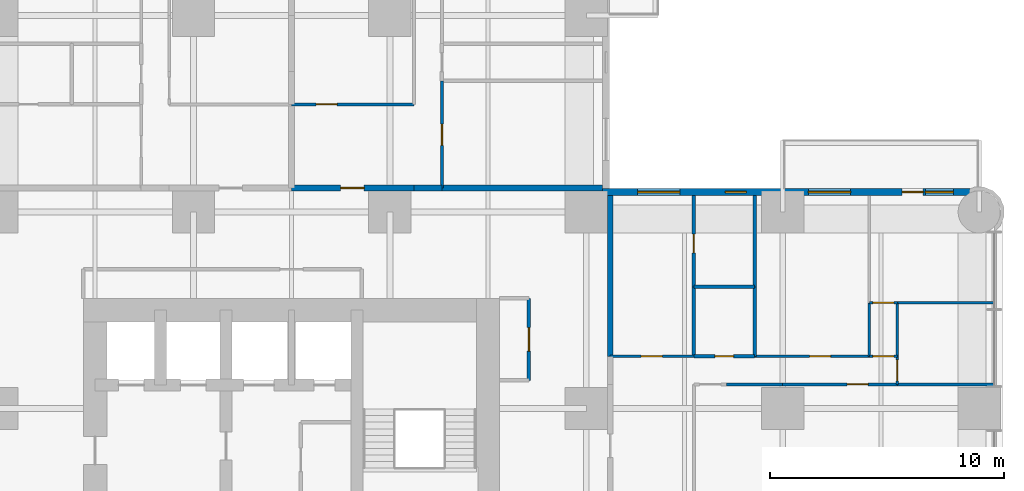
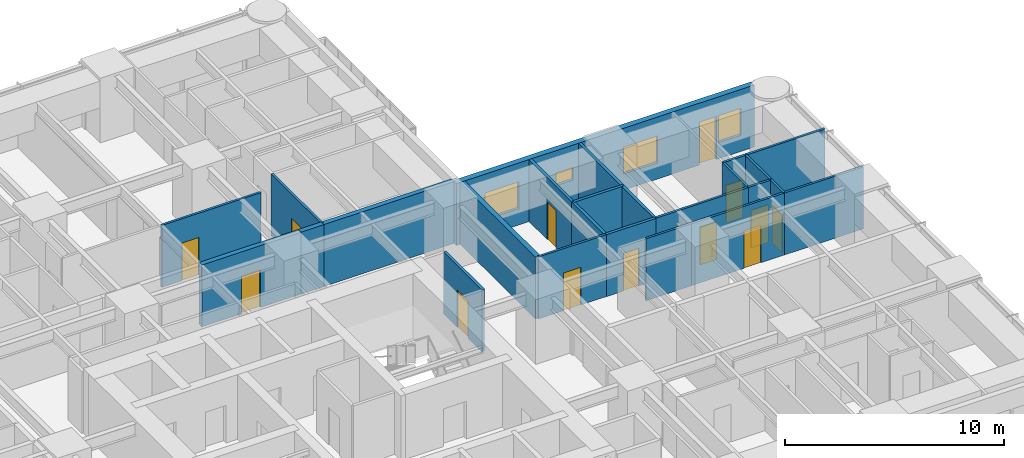
# One storey, part 14 of 17: 25 walls, 13 doors, 4 windows, 17 openings.
"""IFC4 building model written with IfcOpenShell, lengths in metres."""

from ifc_helpers import new_model, si_unit, direction, frame, frame_2d, origin, place, context, subcontext, project, spatial, rectangle, extrude, material, layer, layer_set, type_object, element, fill, save


model = new_model("IFC4")

# Units and contexts
model_context = context("Model", 3, precision=1e-05, world=origin(), true_north=direction((0.0, 1.0)))
body_context = subcontext(model_context, "Body", "Model", "MODEL_VIEW")
ifc_project = project(units=[si_unit("LENGTHUNIT", "METRE"), si_unit("AREAUNIT", "SQUARE_METRE"), si_unit("VOLUMEUNIT", "CUBIC_METRE"), si_unit("PLANEANGLEUNIT", "RADIAN"), si_unit("MASSUNIT", "GRAM", prefix="KILO")], contexts=[model_context])

# Site, building, storey
site_placement = place(None, origin())
site = spatial("IfcSite", under=ifc_project, at=site_placement, CompositionType="ELEMENT")
building_placement = place(site_placement, origin())
building = spatial("IfcBuilding", under=site, at=building_placement, Name="Torre Alcanfor", CompositionType="ELEMENT")
storey_placement = place(building_placement, frame((0.0, 0.0, 41.699951171875)))
storey = spatial("IfcBuildingStorey", under=building, at=storey_placement, Name="L09", CompositionType="ELEMENT", Elevation=41.699951171875)

# Wall, opening, door
ifc_material_1 = material(Name="Concrete block masonry, hollow blocks NMX-C-404 9 MPa", Category="masonry")
ifc_layer_1 = layer(ifc_material_1, 0.25)
ifc_layer_set_1 = layer_set([ifc_layer_1], Name="Apartment entrance wall 250 EI 60")
wall_type_1 = type_object("IfcWallType", Name="Apartment entrance wall 250 EI 60", PredefinedType="PARTITIONING", material=ifc_layer_set_1)
wall_1_placement = place(storey_placement, frame((29.39990234375, 43.02490234375, 0.0), z_axis=(0.0, 0.0, 1.0), x_axis=(1.0, 0.0, 0.0)))
wall_1 = element("IfcWall", 1, at=wall_1_placement, inside=storey, type_object=wall_type_1, Name="Partition L09-CORR / L09-N2-ZAG", PredefinedType="PARTITIONING", context=body_context, shape_type="SweptSolid", body=[
    extrude(rectangle(XDim=5.22900390625, YDim=0.25, at=frame_2d((2.614501953125, 0.0))), origin(), (0.0, 0.0, 1.0), 3.449951171875),
])
opening_1_placement = place(wall_1_placement, frame((2.10009765625, 0.0, 0.0)))
opening_1 = element("IfcOpeningElement", 2, at=opening_1_placement, cuts=wall_1, Name="Opening D-A1", PredefinedType="OPENING", context=body_context, shape_type="SweptSolid", body=[
    extrude(rectangle(XDim=1.0, YDim=2.10009765625, at=frame_2d((0.5, 1.050048828125))), frame((0.0, 0.135009765625, 0.0), z_axis=(0.0, -1.0, 0.0), x_axis=(1.0, 0.0, 0.0)), (0.0, 0.0, 1.0), 0.27001953125),
])
ifc_material_2 = material(Name="Galvanised steel sheet ASTM A653", Category="steel")
door_type_1 = type_object("IfcDoorType", Name="Apartment entrance door FD60 1000x2100", OperationType="SINGLE_SWING_LEFT", PredefinedType="DOOR", material=ifc_material_2)
door_1_placement = place(opening_1_placement, origin())
door_1 = element("IfcDoor", 3, at=door_1_placement, inside=storey, type_object=door_type_1, Name="Apartment entrance L09-N2", OperationType="SINGLE_SWING_LEFT", OverallHeight=2.10009765625, OverallWidth=1.0, PredefinedType="DOOR", context=body_context, shape_type="SweptSolid", body=[
    extrude(rectangle(XDim=1.0, YDim=2.10009765625, at=frame_2d((0.5, 1.050048828125))), frame((0.0, 0.02490234375, 0.0), z_axis=(0.0, -1.0, 0.0), x_axis=(1.0, 0.0, 0.0)), (0.0, 0.0, 1.0), 0.050048828125),
])
fill(opening_1, door_1)

# Walls
wall_2_placement = place(storey_placement, frame((34.62890625, 43.02490234375, 0.0), z_axis=(0.0, 0.0, 1.0), x_axis=(1.0, 0.0, 0.0)))
element("IfcWall", 4, at=wall_2_placement, inside=storey, type_object=wall_type_1, Name="Partition L09-CORR / L09-N2-HALL", PredefinedType="PARTITIONING", context=body_context, shape_type="SweptSolid", body=[
    extrude(rectangle(XDim=1.2001953125, YDim=0.25, at=frame_2d((0.60009765625, 0.0))), origin(), (0.0, 0.0, 1.0), 3.449951171875),
])
for number, where, z_axis, x_axis, name in (
    (5, (35.8291015625, 43.02490234375, 0.0), (0.0, 0.0, 1.0), (1.0, 0.0, 0.0), "Partition L09-CORR / L09-N2-BED3"),
    (6, (43.02490234375, 42.699951171875, 0.0), (0.0, 0.0, 1.0), (0.0, -1.0, 0.0), "Partition L09-CORR / L09-E1-SERV"),
):
    element("IfcWall", number, at=place(storey_placement, frame(where, z_axis=z_axis, x_axis=x_axis)), inside=storey, type_object=wall_type_1, Name=name, PredefinedType="PARTITIONING", context=body_context, shape_type="SweptSolid", body=[
        extrude(rectangle(XDim=6.870849609375, YDim=0.25, at=frame_2d((3.435546875, 0.0))), origin(), (0.0, 0.0, 1.0), 3.449951171875),
    ])

# Wall, opening, door
ifc_material_3 = material(Name="Gypsum board on steel studs", Category="steel")
ifc_layer_2 = layer(ifc_material_3, 0.1201171875)
ifc_layer_set_2 = layer_set([ifc_layer_2], Name="Apartment partition 120")
wall_type_2 = type_object("IfcWallType", Name="Apartment partition 120", PredefinedType="PARTITIONING", material=ifc_layer_set_2)
wall_3_placement = place(storey_placement, frame((29.39990234375, 46.60009765625, 0.0), z_axis=(0.0, 0.0, 1.0), x_axis=(1.0, 0.0, 0.0)))
wall_3 = element("IfcWall", 7, at=wall_3_placement, inside=storey, type_object=wall_type_2, Name="Partition L09-N2-ZAG / L09-N2-KITCHEN", PredefinedType="PARTITIONING", context=body_context, shape_type="SweptSolid", body=[
    extrude(rectangle(XDim=5.22900390625, YDim=0.1201171875, at=frame_2d((2.614501953125, 0.0))), origin(), (0.0, 0.0, 1.0), 3.449951171875),
])
opening_2_placement = place(wall_3_placement, frame((1.050048828125, 0.0, 0.0)))
opening_2 = element("IfcOpeningElement", 8, at=opening_2_placement, cuts=wall_3, Name="Opening D-R1", PredefinedType="OPENING", context=body_context, shape_type="SweptSolid", body=[
    extrude(rectangle(XDim=0.89990234375, YDim=2.10009765625, at=frame_2d((0.449951171875, 1.050048828125))), frame((0.0, 0.070068359375, 0.0), z_axis=(0.0, -1.0, 0.0), x_axis=(1.0, 0.0, 0.0)), (0.0, 0.0, 1.0), 0.14013671875),
])
ifc_material_4 = material(Name="Timber", Category="wood")
door_type_2 = type_object("IfcDoorType", Name="Internal door 900x2100", OperationType="SINGLE_SWING_LEFT", PredefinedType="DOOR", material=ifc_material_4)
door_2_placement = place(opening_2_placement, origin())
door_2 = element("IfcDoor", 9, at=door_2_placement, inside=storey, type_object=door_type_2, Name="Door L09-N2 kitchen", OperationType="SINGLE_SWING_LEFT", OverallHeight=2.10009765625, OverallWidth=0.89990234375, PredefinedType="DOOR", context=body_context, shape_type="SweptSolid", body=[
    extrude(rectangle(XDim=0.89990234375, YDim=2.10009765625, at=frame_2d((0.449951171875, 1.050048828125))), frame((0.0, 0.02490234375, 0.0), z_axis=(0.0, -1.0, 0.0), x_axis=(1.0, 0.0, 0.0)), (0.0, 0.0, 1.0), 0.050048828125),
])
fill(opening_2, door_2)

wall_4_placement = place(storey_placement, frame((35.8291015625, 47.60009765625, 0.0), z_axis=(0.0, 0.0, 1.0), x_axis=(0.0, -1.0, 0.0)))
wall_4 = element("IfcWall", 10, at=wall_4_placement, inside=storey, type_object=wall_type_2, Name="Partition L09-N2-HALL / L09-N2-BED3", PredefinedType="PARTITIONING", context=body_context, shape_type="SweptSolid", body=[
    extrude(rectangle(XDim=4.5751953125, YDim=0.1201171875, at=frame_2d((2.28759765625, 0.0))), origin(), (0.0, 0.0, 1.0), 3.449951171875),
])
opening_3_placement = place(wall_4_placement, frame((1.85009765625, 0.0, 0.0)))
opening_3 = element("IfcOpeningElement", 11, at=opening_3_placement, cuts=wall_4, Name="Opening D-R1", PredefinedType="OPENING", context=body_context, shape_type="SweptSolid", body=[
    extrude(rectangle(XDim=0.89990234375, YDim=2.10009765625, at=frame_2d((0.449951171875, 1.050048828125))), frame((0.0, 0.070068359375, 0.0), z_axis=(0.0, -1.0, 0.0), x_axis=(1.0, 0.0, 0.0)), (0.0, 0.0, 1.0), 0.14013671875),
])
door_3_placement = place(opening_3_placement, origin())
door_3 = element("IfcDoor", 12, at=door_3_placement, inside=storey, type_object=door_type_2, Name="Door L09-N2 bed3", OperationType="SINGLE_SWING_RIGHT", OverallHeight=2.10009765625, OverallWidth=0.89990234375, PredefinedType="DOOR", context=body_context, shape_type="SweptSolid", body=[
    extrude(rectangle(XDim=0.89990234375, YDim=2.10009765625, at=frame_2d((0.449951171875, 1.050048828125))), frame((0.0, 0.02490234375, 0.0), z_axis=(0.0, -1.0, 0.0), x_axis=(1.0, 0.0, 0.0)), (0.0, 0.0, 1.0), 0.050048828125),
])
fill(opening_3, door_3)

# Wall
wall_5_placement = place(storey_placement, frame((50.39990234375, 34.62890625, 0.0), z_axis=(0.0, 0.0, 1.0), x_axis=(-1.0, 0.0, 0.0)))
element("IfcWall", 13, at=wall_5_placement, inside=storey, type_object=wall_type_2, Name="Partition L09-E1-KITCHEN / L09-E1-HALL", PredefinedType="PARTITIONING", context=body_context, shape_type="SweptSolid", body=[
    extrude(rectangle(XDim=2.39990234375, YDim=0.1201171875, at=frame_2d((1.199951171875, 0.0))), origin(), (0.0, 0.0, 1.0), 3.449951171875),
])

# Wall, opening, door
wall_6_placement = place(storey_placement, frame((55.300048828125, 34.62890625, 0.0), z_axis=(0.0, 0.0, 1.0), x_axis=(-1.0, 0.0, 0.0)))
wall_6 = element("IfcWall", 14, at=wall_6_placement, inside=storey, type_object=wall_type_2, Name="Partition L09-E1-LIVING / L09-E1-HALL", PredefinedType="PARTITIONING", context=body_context, shape_type="SweptSolid", body=[
    extrude(rectangle(XDim=4.900146484375, YDim=0.1201171875, at=frame_2d((2.4501953125, 0.0))), origin(), (0.0, 0.0, 1.0), 3.449951171875),
])
opening_4_placement = place(wall_6_placement, frame((1.25, 0.0, 0.0)))
opening_4 = element("IfcOpeningElement", 15, at=opening_4_placement, cuts=wall_6, Name="Opening D-R1", PredefinedType="OPENING", context=body_context, shape_type="SweptSolid", body=[
    extrude(rectangle(XDim=0.89990234375, YDim=2.10009765625, at=frame_2d((0.449951171875, 1.050048828125))), frame((0.0, 0.070068359375, 0.0), z_axis=(0.0, -1.0, 0.0), x_axis=(1.0, 0.0, 0.0)), (0.0, 0.0, 1.0), 0.14013671875),
])
door_4_placement = place(opening_4_placement, origin())
door_4 = element("IfcDoor", 16, at=door_4_placement, inside=storey, type_object=door_type_2, Name="Door L09-E1 living", OperationType="SINGLE_SWING_RIGHT", OverallHeight=2.10009765625, OverallWidth=0.89990234375, PredefinedType="DOOR", context=body_context, shape_type="SweptSolid", body=[
    extrude(rectangle(XDim=0.89990234375, YDim=2.10009765625, at=frame_2d((0.449951171875, 1.050048828125))), frame((0.0, 0.02490234375, 0.0), z_axis=(0.0, -1.0, 0.0), x_axis=(1.0, 0.0, 0.0)), (0.0, 0.0, 1.0), 0.050048828125),
])
fill(opening_4, door_4)

# Wall
wall_7_placement = place(storey_placement, frame((59.449951171875, 34.62890625, 0.0), z_axis=(0.0, 0.0, 1.0), x_axis=(-1.0, 0.0, 0.0)))
element("IfcWall", 17, at=wall_7_placement, inside=storey, type_object=wall_type_2, Name="Partition L09-E1-LIVING / L09-E1-BED2", PredefinedType="PARTITIONING", context=body_context, shape_type="SweptSolid", body=[
    extrude(rectangle(XDim=4.14990234375, YDim=0.1201171875, at=frame_2d((2.074951171875, 0.0))), origin(), (0.0, 0.0, 1.0), 3.449951171875),
])

# Wall, opening, door
wall_8_placement = place(storey_placement, frame((46.60009765625, 35.8291015625, 0.0), z_axis=(0.0, 0.0, 1.0), x_axis=(-1.0, 0.0, 0.0)))
wall_8 = element("IfcWall", 18, at=wall_8_placement, inside=storey, type_object=wall_type_2, Name="Partition L09-E1-HALL / L09-E1-SERV", PredefinedType="PARTITIONING", context=body_context, shape_type="SweptSolid", body=[
    extrude(rectangle(XDim=3.5751953125, YDim=0.1201171875, at=frame_2d((1.78759765625, 0.0))), origin(), (0.0, 0.0, 1.0), 3.449951171875),
])
opening_5_placement = place(wall_8_placement, frame((1.35009765625, 0.0, 0.0)))
opening_5 = element("IfcOpeningElement", 19, at=opening_5_placement, cuts=wall_8, Name="Opening D-R1", PredefinedType="OPENING", context=body_context, shape_type="SweptSolid", body=[
    extrude(rectangle(XDim=0.89990234375, YDim=2.10009765625, at=frame_2d((0.449951171875, 1.050048828125))), frame((0.0, 0.070068359375, 0.0), z_axis=(0.0, -1.0, 0.0), x_axis=(1.0, 0.0, 0.0)), (0.0, 0.0, 1.0), 0.14013671875),
])
door_5_placement = place(opening_5_placement, frame((0.89990234375, 0.0, 0.0), z_axis=(0.0, 0.0, 1.0), x_axis=(-1.0, 0.0, 0.0)))
door_5 = element("IfcDoor", 20, at=door_5_placement, inside=storey, type_object=door_type_2, Name="Door L09-E1 serv", OperationType="SINGLE_SWING_LEFT", OverallHeight=2.10009765625, OverallWidth=0.89990234375, PredefinedType="DOOR", context=body_context, shape_type="SweptSolid", body=[
    extrude(rectangle(XDim=0.89990234375, YDim=2.10009765625, at=frame_2d((0.449951171875, 1.050048828125))), frame((0.0, 0.025146484375, 0.0), z_axis=(0.0, -1.0, 0.0), x_axis=(1.0, 0.0, 0.0)), (0.0, 0.0, 1.0), 0.050048828125),
])
fill(opening_5, door_5)

wall_9_placement = place(storey_placement, frame((54.10009765625, 35.8291015625, 0.0), z_axis=(0.0, 0.0, 1.0), x_axis=(-1.0, 0.0, 0.0)))
wall_9 = element("IfcWall", 21, at=wall_9_placement, inside=storey, type_object=wall_type_2, Name="Partition L09-E1-HALL / L09-E1-BED3", PredefinedType="PARTITIONING", context=body_context, shape_type="SweptSolid", body=[
    extrude(rectangle(XDim=4.900146484375, YDim=0.1201171875, at=frame_2d((2.4501953125, 0.0))), origin(), (0.0, 0.0, 1.0), 3.449951171875),
])
opening_6_placement = place(wall_9_placement, frame((1.64990234375, 0.0, 0.0)))
opening_6 = element("IfcOpeningElement", 22, at=opening_6_placement, cuts=wall_9, Name="Opening D-R1", PredefinedType="OPENING", context=body_context, shape_type="SweptSolid", body=[
    extrude(rectangle(XDim=0.89990234375, YDim=2.10009765625, at=frame_2d((0.449951171875, 1.050048828125))), frame((0.0, 0.070068359375, 0.0), z_axis=(0.0, -1.0, 0.0), x_axis=(1.0, 0.0, 0.0)), (0.0, 0.0, 1.0), 0.14013671875),
])
door_6_placement = place(opening_6_placement, frame((0.89990234375, 0.0, 0.0), z_axis=(0.0, 0.0, 1.0), x_axis=(-1.0, 0.0, 0.0)))
door_6 = element("IfcDoor", 23, at=door_6_placement, inside=storey, type_object=door_type_2, Name="Door L09-E1 bed3", OperationType="SINGLE_SWING_RIGHT", OverallHeight=2.10009765625, OverallWidth=0.89990234375, PredefinedType="DOOR", context=body_context, shape_type="SweptSolid", body=[
    extrude(rectangle(XDim=0.89990234375, YDim=2.10009765625, at=frame_2d((0.449951171875, 1.050048828125))), frame((0.0, 0.025146484375, 0.0), z_axis=(0.0, -1.0, 0.0), x_axis=(1.0, 0.0, 0.0)), (0.0, 0.0, 1.0), 0.050048828125),
])
fill(opening_6, door_6)

wall_10_placement = place(storey_placement, frame((55.300048828125, 35.8291015625, 0.0), z_axis=(0.0, 0.0, 1.0), x_axis=(-1.0, 0.0, 0.0)))
wall_10 = element("IfcWall", 24, at=wall_10_placement, inside=storey, type_object=wall_type_2, Name="Partition L09-E1-HALL / L09-E1-VEST", PredefinedType="PARTITIONING", context=body_context, shape_type="SweptSolid", body=[
    extrude(rectangle(XDim=1.199951171875, YDim=0.1201171875, at=frame_2d((0.60009765625, 0.0))), origin(), (0.0, 0.0, 1.0), 3.449951171875),
])
opening_7_placement = place(wall_10_placement, frame((0.14990234375, 0.0, 0.0)))
opening_7 = element("IfcOpeningElement", 25, at=opening_7_placement, cuts=wall_10, Name="Opening D-R1", PredefinedType="OPENING", context=body_context, shape_type="SweptSolid", body=[
    extrude(rectangle(XDim=0.89990234375, YDim=2.10009765625, at=frame_2d((0.449951171875, 1.050048828125))), frame((0.0, 0.070068359375, 0.0), z_axis=(0.0, -1.0, 0.0), x_axis=(1.0, 0.0, 0.0)), (0.0, 0.0, 1.0), 0.14013671875),
])
door_7_placement = place(opening_7_placement, frame((0.89990234375, 0.0, 0.0), z_axis=(0.0, 0.0, 1.0), x_axis=(-1.0, 0.0, 0.0)))
door_7 = element("IfcDoor", 26, at=door_7_placement, inside=storey, type_object=door_type_2, Name="Door L09-E1 vest", OperationType="SINGLE_SWING_RIGHT", OverallHeight=2.10009765625, OverallWidth=0.89990234375, PredefinedType="DOOR", context=body_context, shape_type="SweptSolid", body=[
    extrude(rectangle(XDim=0.89990234375, YDim=2.10009765625, at=frame_2d((0.449951171875, 1.050048828125))), frame((0.0, 0.025146484375, 0.0), z_axis=(0.0, -1.0, 0.0), x_axis=(1.0, 0.0, 0.0)), (0.0, 0.0, 1.0), 0.050048828125),
])
fill(opening_7, door_7)

wall_11_placement = place(storey_placement, frame((55.300048828125, 34.62890625, 0.0), z_axis=(0.0, 0.0, 1.0), x_axis=(0.0, 1.0, 0.0)))
wall_11 = element("IfcWall", 27, at=wall_11_placement, inside=storey, type_object=wall_type_2, Name="Partition L09-E1-HALL / L09-E1-BED2", PredefinedType="PARTITIONING", context=body_context, shape_type="SweptSolid", body=[
    extrude(rectangle(XDim=1.2001953125, YDim=0.1201171875, at=frame_2d((0.60009765625, 0.0))), origin(), (0.0, 0.0, 1.0), 3.449951171875),
])
opening_8_placement = place(wall_11_placement, frame((0.15087890625, 0.0, 0.0)))
opening_8 = element("IfcOpeningElement", 28, at=opening_8_placement, cuts=wall_11, Name="Opening D-R1", PredefinedType="OPENING", context=body_context, shape_type="SweptSolid", body=[
    extrude(rectangle(XDim=0.89990234375, YDim=2.10009765625, at=frame_2d((0.449951171875, 1.050048828125))), frame((0.0, 0.070068359375, 0.0), z_axis=(0.0, -1.0, 0.0), x_axis=(1.0, 0.0, 0.0)), (0.0, 0.0, 1.0), 0.14013671875),
])
door_8_placement = place(opening_8_placement, frame((0.89990234375, 0.0, 0.0), z_axis=(0.0, 0.0, 1.0), x_axis=(-1.0, 0.0, 0.0)))
door_8 = element("IfcDoor", 29, at=door_8_placement, inside=storey, type_object=door_type_2, Name="Door L09-E1 bed2", OperationType="SINGLE_SWING_RIGHT", OverallHeight=2.10009765625, OverallWidth=0.89990234375, PredefinedType="DOOR", context=body_context, shape_type="SweptSolid", body=[
    extrude(rectangle(XDim=0.89990234375, YDim=2.10009765625, at=frame_2d((0.449951171875, 1.050048828125))), frame((0.0, 0.025146484375, 0.0), z_axis=(0.0, -1.0, 0.0), x_axis=(1.0, 0.0, 0.0)), (0.0, 0.0, 1.0), 0.050048828125),
])
fill(opening_8, door_8)

# Walls
for number, where, z_axis, x_axis, name in (
    (30, (54.10009765625, 35.8291015625, 0.0), (0.0, 0.0, 1.0), (0.0, 1.0, 0.0), "Partition L09-E1-BED3 / L09-E1-VEST"),
    (31, (55.300048828125, 35.8291015625, 0.0), (0.0, 0.0, 1.0), (0.0, 1.0, 0.0), "Partition L09-E1-VEST / L09-E1-BED2"),
):
    element("IfcWall", number, at=place(storey_placement, frame(where, z_axis=z_axis, x_axis=x_axis)), inside=storey, type_object=wall_type_2, Name=name, PredefinedType="PARTITIONING", context=body_context, shape_type="SweptSolid", body=[
        extrude(rectangle(XDim=2.284912109375, YDim=0.1201171875, at=frame_2d((1.142578125, 0.0))), origin(), (0.0, 0.0, 1.0), 3.449951171875),
    ])

# Wall, opening, door
wall_12_placement = place(storey_placement, frame((55.300048828125, 38.114013671875, 0.0), z_axis=(0.0, 0.0, 1.0), x_axis=(-1.0, 0.0, 0.0)))
wall_12 = element("IfcWall", 32, at=wall_12_placement, inside=storey, type_object=wall_type_2, Name="Partition L09-E1-VEST / L09-E1-MASTER", PredefinedType="PARTITIONING", context=body_context, shape_type="SweptSolid", body=[
    extrude(rectangle(XDim=1.199951171875, YDim=0.1201171875, at=frame_2d((0.60009765625, 0.0))), origin(), (0.0, 0.0, 1.0), 3.449951171875),
])
opening_9_placement = place(wall_12_placement, frame((0.14990234375, 0.0, 0.0)))
opening_9 = element("IfcOpeningElement", 33, at=opening_9_placement, cuts=wall_12, Name="Opening D-R1", PredefinedType="OPENING", context=body_context, shape_type="SweptSolid", body=[
    extrude(rectangle(XDim=0.89990234375, YDim=2.10009765625, at=frame_2d((0.449951171875, 1.050048828125))), frame((0.0, 0.070068359375, 0.0), z_axis=(0.0, -1.0, 0.0), x_axis=(1.0, 0.0, 0.0)), (0.0, 0.0, 1.0), 0.14013671875),
])
door_9_placement = place(opening_9_placement, origin())
door_9 = element("IfcDoor", 34, at=door_9_placement, inside=storey, type_object=door_type_2, Name="Door L09-E1 master", OperationType="SINGLE_SWING_LEFT", OverallHeight=2.10009765625, OverallWidth=0.89990234375, PredefinedType="DOOR", context=body_context, shape_type="SweptSolid", body=[
    extrude(rectangle(XDim=0.89990234375, YDim=2.10009765625, at=frame_2d((0.449951171875, 1.050048828125))), frame((0.0, 0.02490234375, 0.0), z_axis=(0.0, -1.0, 0.0), x_axis=(1.0, 0.0, 0.0)), (0.0, 0.0, 1.0), 0.050048828125),
])
fill(opening_9, door_9)

# Wall
wall_13_placement = place(storey_placement, frame((59.449951171875, 38.114013671875, 0.0), z_axis=(0.0, 0.0, 1.0), x_axis=(-1.0, 0.0, 0.0)))
element("IfcWall", 35, at=wall_13_placement, inside=storey, type_object=wall_type_2, Name="Partition L09-E1-BED2 / L09-E1-MASTER", PredefinedType="PARTITIONING", context=body_context, shape_type="SweptSolid", body=[
    extrude(rectangle(XDim=4.14990234375, YDim=0.1201171875, at=frame_2d((2.074951171875, 0.0))), origin(), (0.0, 0.0, 1.0), 3.449951171875),
])

# Wall, openings, door, windows
ifc_material_5 = material(Name="Limestone cladding", Category="masonry")
ifc_layer_3 = layer(ifc_material_5, 0.0400390625, Name="Facing")
ifc_material_6 = material(Name="Ventilated air cavity")
ifc_layer_4 = layer(ifc_material_6, 0.02001953125, ventilated=True, Name="Ventilated joint")
ifc_material_7 = material(Name="Mineral wool insulation", Category="insulation")
ifc_layer_5 = layer(ifc_material_7, 0.10009765625, Name="Insulation")
ifc_material_8 = material(Name="Concrete f'c 35 MPa", Category="concrete")
ifc_layer_6 = layer(ifc_material_8, 0.139892578125, Name="Backing")
ifc_layer_set_3 = layer_set([ifc_layer_3, ifc_layer_4, ifc_layer_5, ifc_layer_6], Name="External wall stone-clad 300")
wall_type_3 = type_object("IfcWallType", Name="External wall stone-clad 300", PredefinedType="SOLIDWALL", material=ifc_layer_set_3)
wall_14_placement = place(storey_placement, frame((58.39990234375, 42.85009765625, 0.0), z_axis=(0.0, 0.0, 1.0), x_axis=(-1.0, 0.0, 0.0)))
wall_14 = element("IfcWall", 36, at=wall_14_placement, inside=storey, type_object=wall_type_3, Name="External wall L09 9", PredefinedType="SOLIDWALL", context=body_context, shape_type="SweptSolid", body=[
    extrude(rectangle(XDim=15.699951171875, YDim=0.300048828125, at=frame_2d((7.85009765625, 0.0))), origin(), (0.0, 0.0, 1.0), 3.449951171875),
])
opening_10_placement = place(wall_14_placement, frame((12.39990234375, 0.0, 0.89990234375)))
opening_10 = element("IfcOpeningElement", 37, at=opening_10_placement, cuts=wall_14, Name="Opening W2", PredefinedType="OPENING", context=body_context, shape_type="SweptSolid", body=[
    extrude(rectangle(XDim=1.800048828125, YDim=1.5, at=frame_2d((0.89990234375, 0.75))), frame((0.0, 0.159912109375, 0.0), z_axis=(0.0, -1.0, 0.0), x_axis=(1.0, 0.0, 0.0)), (0.0, 0.0, 1.0), 0.320068359375),
])
opening_11_placement = place(wall_14_placement, frame((9.550048828125, 0.0, 1.5)))
opening_11 = element("IfcOpeningElement", 38, at=opening_11_placement, cuts=wall_14, Name="Opening W3", PredefinedType="OPENING", context=body_context, shape_type="SweptSolid", body=[
    extrude(rectangle(XDim=0.89990234375, YDim=0.699951171875, at=frame_2d((0.449951171875, 0.35009765625))), frame((0.0, 0.159912109375, 0.0), z_axis=(0.0, -1.0, 0.0), x_axis=(1.0, 0.0, 0.0)), (0.0, 0.0, 1.0), 0.320068359375),
])
opening_12_placement = place(wall_14_placement, frame((5.10009765625, 0.0, 0.89990234375)))
opening_12 = element("IfcOpeningElement", 39, at=opening_12_placement, cuts=wall_14, Name="Opening W2", PredefinedType="OPENING", context=body_context, shape_type="SweptSolid", body=[
    extrude(rectangle(XDim=1.800048828125, YDim=1.5, at=frame_2d((0.89990234375, 0.75))), frame((0.0, 0.159912109375, 0.0), z_axis=(0.0, -1.0, 0.0), x_axis=(1.0, 0.0, 0.0)), (0.0, 0.0, 1.0), 0.320068359375),
])
opening_13_placement = place(wall_14_placement, frame((2.0, 0.0, 0.0)))
opening_13 = element("IfcOpeningElement", 40, at=opening_13_placement, cuts=wall_14, Name="Opening D-B1", PredefinedType="OPENING", context=body_context, shape_type="SweptSolid", body=[
    extrude(rectangle(XDim=0.89990234375, YDim=2.39990234375, at=frame_2d((0.449951171875, 1.199951171875))), frame((0.0, 0.159912109375, 0.0), z_axis=(0.0, -1.0, 0.0), x_axis=(1.0, 0.0, 0.0)), (0.0, 0.0, 1.0), 0.320068359375),
])
opening_14_placement = place(wall_14_placement, frame((0.699951171875, 0.0, 0.89990234375)))
opening_14 = element("IfcOpeningElement", 41, at=opening_14_placement, cuts=wall_14, Name="Opening W4", PredefinedType="OPENING", context=body_context, shape_type="SweptSolid", body=[
    extrude(rectangle(XDim=1.199951171875, YDim=1.5, at=frame_2d((0.60009765625, 0.75))), frame((0.0, 0.159912109375, 0.0), z_axis=(0.0, -1.0, 0.0), x_axis=(1.0, 0.0, 0.0)), (0.0, 0.0, 1.0), 0.320068359375),
])
ifc_material_9 = material(Name="Aluminium and glass", Category="aluminium")
door_type_3 = type_object("IfcDoorType", Name="Balcony door glazed 900x2400", OperationType="SINGLE_SWING_LEFT", PredefinedType="DOOR", material=ifc_material_9)
door_10_placement = place(opening_13_placement, origin())
door_10 = element("IfcDoor", 42, at=door_10_placement, inside=storey, type_object=door_type_3, Name="Balcony door L09-E1", OperationType="SINGLE_SWING_RIGHT", OverallHeight=2.39990234375, OverallWidth=0.89990234375, PredefinedType="DOOR", context=body_context, shape_type="SweptSolid", body=[
    extrude(rectangle(XDim=0.89990234375, YDim=2.39990234375, at=frame_2d((0.449951171875, 1.199951171875))), frame((0.0, 0.02490234375, 0.0), z_axis=(0.0, -1.0, 0.0), x_axis=(1.0, 0.0, 0.0)), (0.0, 0.0, 1.0), 0.050048828125),
])
fill(opening_13, door_10)
ifc_material_10 = material(Name="Aluminium frame with clear double glazing", Category="aluminium")
window_type_1 = type_object("IfcWindowType", Name="Window bathroom 900x700", PartitioningType="SINGLE_PANEL", PredefinedType="WINDOW", material=ifc_material_10)
window_1_placement = place(opening_11_placement, origin())
window_1 = element("IfcWindow", 43, at=window_1_placement, inside=storey, type_object=window_type_1, Name="Window W3 L09-E1", OverallHeight=0.699951171875, OverallWidth=0.89990234375, PartitioningType="SINGLE_PANEL", PredefinedType="WINDOW", context=body_context, shape_type="SweptSolid", body=[
    extrude(rectangle(XDim=0.89990234375, YDim=0.699951171875, at=frame_2d((0.449951171875, 0.35009765625))), frame((0.0, 0.030029296875, 0.0), z_axis=(0.0, -1.0, 0.0), x_axis=(1.0, 0.0, 0.0)), (0.0, 0.0, 1.0), 0.06005859375),
])
fill(opening_11, window_1)
ifc_material_11 = material(Name="Aluminium frame with clear double glazing", Category="aluminium")
window_type_2 = type_object("IfcWindowType", Name="Window bedroom 1200x1500", PartitioningType="SINGLE_PANEL", PredefinedType="WINDOW", material=ifc_material_11)
window_2_placement = place(opening_14_placement, origin())
window_2 = element("IfcWindow", 44, at=window_2_placement, inside=storey, type_object=window_type_2, Name="Window W4 L09-E1", OverallHeight=1.5, OverallWidth=1.199951171875, PartitioningType="SINGLE_PANEL", PredefinedType="WINDOW", context=body_context, shape_type="SweptSolid", body=[
    extrude(rectangle(XDim=1.199951171875, YDim=1.5, at=frame_2d((0.60009765625, 0.75))), frame((0.0, 0.030029296875, 0.0), z_axis=(0.0, -1.0, 0.0), x_axis=(1.0, 0.0, 0.0)), (0.0, 0.0, 1.0), 0.06005859375),
])
fill(opening_14, window_2)
ifc_material_12 = material(Name="Aluminium frame with clear double glazing", Category="aluminium")
window_type_3 = type_object("IfcWindowType", Name="Window bedroom 1800x1500", PartitioningType="SINGLE_PANEL", PredefinedType="WINDOW", material=ifc_material_12)
window_3_placement = place(opening_10_placement, origin())
window_3 = element("IfcWindow", 45, at=window_3_placement, inside=storey, type_object=window_type_3, Name="Window W2 L09-E1", OverallHeight=1.5, OverallWidth=1.800048828125, PartitioningType="SINGLE_PANEL", PredefinedType="WINDOW", context=body_context, shape_type="SweptSolid", body=[
    extrude(rectangle(XDim=1.800048828125, YDim=1.5, at=frame_2d((0.89990234375, 0.75))), frame((0.0, 0.030029296875, 0.0), z_axis=(0.0, -1.0, 0.0), x_axis=(1.0, 0.0, 0.0)), (0.0, 0.0, 1.0), 0.06005859375),
])
fill(opening_10, window_3)
window_4_placement = place(opening_12_placement, origin())
window_4 = element("IfcWindow", 46, at=window_4_placement, inside=storey, type_object=window_type_3, Name="Window W2 L09-E1", OverallHeight=1.5, OverallWidth=1.800048828125, PartitioningType="SINGLE_PANEL", PredefinedType="WINDOW", context=body_context, shape_type="SweptSolid", body=[
    extrude(rectangle(XDim=1.800048828125, YDim=1.5, at=frame_2d((0.89990234375, 0.75))), frame((0.0, 0.030029296875, 0.0), z_axis=(0.0, -1.0, 0.0), x_axis=(1.0, 0.0, 0.0)), (0.0, 0.0, 1.0), 0.06005859375),
])
fill(opening_12, window_4)

# Wall, opening, door
ifc_material_13 = material(Name="Concrete block masonry, hollow blocks NMX-C-404 9 MPa", Category="masonry")
ifc_layer_7 = layer(ifc_material_13, 0.14990234375)
ifc_layer_set_4 = layer_set([ifc_layer_7], Name="Residents' room partition 150")
wall_type_4 = type_object("IfcWallType", Name="Residents' room partition 150", PredefinedType="PARTITIONING", material=ifc_layer_set_4)
wall_15_placement = place(storey_placement, frame((39.550048828125, 34.800048828125, 0.0), z_axis=(0.0, 0.0, 1.0), x_axis=(0.0, 1.0, 0.0)))
wall_15 = element("IfcWall", 47, at=wall_15_placement, inside=storey, type_object=wall_type_4, Name="Partition L09-CORR / L09-G03", PredefinedType="PARTITIONING", context=body_context, shape_type="SweptSolid", body=[
    extrude(rectangle(XDim=3.5, YDim=0.14990234375, at=frame_2d((1.75, 0.0))), origin(), (0.0, 0.0, 1.0), 3.449951171875),
])
opening_15_placement = place(wall_15_placement, frame((1.25, 0.0, 0.0)))
opening_15 = element("IfcOpeningElement", 48, at=opening_15_placement, cuts=wall_15, Name="Opening D-M1", PredefinedType="OPENING", context=body_context, shape_type="SweptSolid", body=[
    extrude(rectangle(XDim=1.0, YDim=2.10009765625, at=frame_2d((0.5, 1.050048828125))), frame((0.0, 0.0849609375, 0.0), z_axis=(0.0, -1.0, 0.0), x_axis=(1.0, 0.0, 0.0)), (0.0, 0.0, 1.0), 0.169921875),
])
ifc_material_14 = material(Name="Timber", Category="wood")
door_type_4 = type_object("IfcDoorType", Name="Residents' room door 1000x2100", OperationType="SINGLE_SWING_LEFT", PredefinedType="DOOR", material=ifc_material_14)
door_11_placement = place(opening_15_placement, origin())
door_11 = element("IfcDoor", 49, at=door_11_placement, inside=storey, type_object=door_type_4, Name="Door L09-G03 parcel room", OperationType="SINGLE_SWING_LEFT", OverallHeight=2.10009765625, OverallWidth=1.0, PredefinedType="DOOR", context=body_context, shape_type="SweptSolid", body=[
    extrude(rectangle(XDim=1.0, YDim=2.10009765625, at=frame_2d((0.5, 1.050048828125))), frame((0.0, 0.02490234375, 0.0), z_axis=(0.0, -1.0, 0.0), x_axis=(1.0, 0.0, 0.0)), (0.0, 0.0, 1.0), 0.050048828125),
])
fill(opening_15, door_11)

ifc_material_15 = material(Name="Cement board on steel studs", Category="steel")
ifc_layer_8 = layer(ifc_material_15, 0.14990234375)
ifc_layer_set_5 = layer_set([ifc_layer_8], Name="Wet area partition 150")
wall_type_5 = type_object("IfcWallType", Name="Wet area partition 150", PredefinedType="PARTITIONING", material=ifc_layer_set_5)
wall_16_placement = place(storey_placement, frame((49.199951171875, 35.8291015625, 0.0), z_axis=(0.0, 0.0, 1.0), x_axis=(-1.0, 0.0, 0.0)))
wall_16 = element("IfcWall", 50, at=wall_16_placement, inside=storey, type_object=wall_type_5, Name="Partition L09-E1-HALL / L09-E1-BATH1", PredefinedType="PARTITIONING", context=body_context, shape_type="SweptSolid", body=[
    extrude(rectangle(XDim=2.599853515625, YDim=0.14990234375, at=frame_2d((1.2998046875, 0.0))), origin(), (0.0, 0.0, 1.0), 3.449951171875),
])
opening_16_placement = place(wall_16_placement, frame((0.89990234375, 0.0, 0.0)))
opening_16 = element("IfcOpeningElement", 51, at=opening_16_placement, cuts=wall_16, Name="Opening D-R2", PredefinedType="OPENING", context=body_context, shape_type="SweptSolid", body=[
    extrude(rectangle(XDim=0.800048828125, YDim=2.10009765625, at=frame_2d((0.39990234375, 1.050048828125))), frame((0.0, 0.0849609375, 0.0), z_axis=(0.0, -1.0, 0.0), x_axis=(1.0, 0.0, 0.0)), (0.0, 0.0, 1.0), 0.169921875),
])
ifc_material_16 = material(Name="Timber", Category="wood")
door_type_5 = type_object("IfcDoorType", Name="Bathroom door 800x2100", OperationType="SINGLE_SWING_LEFT", PredefinedType="DOOR", material=ifc_material_16)
door_12_placement = place(opening_16_placement, frame((0.800048828125, 0.0, 0.0), z_axis=(0.0, 0.0, 1.0), x_axis=(-1.0, 0.0, 0.0)))
door_12 = element("IfcDoor", 52, at=door_12_placement, inside=storey, type_object=door_type_5, Name="Door L09-E1 bath1", OperationType="SINGLE_SWING_RIGHT", OverallHeight=2.10009765625, OverallWidth=0.800048828125, PredefinedType="DOOR", context=body_context, shape_type="SweptSolid", body=[
    extrude(rectangle(XDim=0.800048828125, YDim=2.10009765625, at=frame_2d((0.400146484375, 1.050048828125))), frame((0.0, 0.025146484375, 0.0), z_axis=(0.0, -1.0, 0.0), x_axis=(1.0, 0.0, 0.0)), (0.0, 0.0, 1.0), 0.050048828125),
])
fill(opening_16, door_12)

# Wall
wall_17_placement = place(storey_placement, frame((46.60009765625, 35.8291015625, 0.0), z_axis=(0.0, 0.0, 1.0), x_axis=(0.0, 1.0, 0.0)))
element("IfcWall", 53, at=wall_17_placement, inside=storey, type_object=wall_type_5, Name="Partition L09-E1-SERV / L09-E1-BATH1", PredefinedType="PARTITIONING", context=body_context, shape_type="SweptSolid", body=[
    extrude(rectangle(XDim=2.970947265625, YDim=0.14990234375, at=frame_2d((1.4853515625, 0.0))), origin(), (0.0, 0.0, 1.0), 3.449951171875),
])

# Wall, opening, door
wall_18_placement = place(storey_placement, frame((46.60009765625, 38.800048828125, 0.0), z_axis=(0.0, 0.0, 1.0), x_axis=(0.0, 1.0, 0.0)))
wall_18 = element("IfcWall", 54, at=wall_18_placement, inside=storey, type_object=wall_type_5, Name="Partition L09-E1-SERV / L09-E1-SBATH", PredefinedType="PARTITIONING", context=body_context, shape_type="SweptSolid", body=[
    extrude(rectangle(XDim=3.89990234375, YDim=0.14990234375, at=frame_2d((1.949951171875, 0.0))), origin(), (0.0, 0.0, 1.0), 3.449951171875),
])
opening_17_placement = place(wall_18_placement, frame((1.449951171875, 0.0, 0.0)))
opening_17 = element("IfcOpeningElement", 55, at=opening_17_placement, cuts=wall_18, Name="Opening D-R2", PredefinedType="OPENING", context=body_context, shape_type="SweptSolid", body=[
    extrude(rectangle(XDim=0.800048828125, YDim=2.10009765625, at=frame_2d((0.39990234375, 1.050048828125))), frame((0.0, 0.0849609375, 0.0), z_axis=(0.0, -1.0, 0.0), x_axis=(1.0, 0.0, 0.0)), (0.0, 0.0, 1.0), 0.169921875),
])
door_13_placement = place(opening_17_placement, frame((0.800048828125, 0.0, 0.0), z_axis=(0.0, 0.0, 1.0), x_axis=(-1.0, 0.0, 0.0)))
door_13 = element("IfcDoor", 56, at=door_13_placement, inside=storey, type_object=door_type_5, Name="Door L09-E1 sbath", OperationType="SINGLE_SWING_RIGHT", OverallHeight=2.10009765625, OverallWidth=0.800048828125, PredefinedType="DOOR", context=body_context, shape_type="SweptSolid", body=[
    extrude(rectangle(XDim=0.800048828125, YDim=2.10009765625, at=frame_2d((0.400146484375, 1.050048828125))), frame((0.0, 0.025146484375, 0.0), z_axis=(0.0, -1.0, 0.0), x_axis=(1.0, 0.0, 0.0)), (0.0, 0.0, 1.0), 0.050048828125),
])
fill(opening_17, door_13)

# Walls
wall_19_placement = place(storey_placement, frame((49.199951171875, 38.800048828125, 0.0), z_axis=(0.0, 0.0, 1.0), x_axis=(-1.0, 0.0, 0.0)))
element("IfcWall", 57, at=wall_19_placement, inside=storey, type_object=wall_type_5, Name="Partition L09-E1-BATH1 / L09-E1-SBATH", PredefinedType="PARTITIONING", context=body_context, shape_type="SweptSolid", body=[
    extrude(rectangle(XDim=2.599853515625, YDim=0.14990234375, at=frame_2d((1.2998046875, 0.0))), origin(), (0.0, 0.0, 1.0), 3.449951171875),
])
wall_20_placement = place(storey_placement, frame((49.199951171875, 35.8291015625, 0.0), z_axis=(0.0, 0.0, 1.0), x_axis=(0.0, 1.0, 0.0)))
element("IfcWall", 58, at=wall_20_placement, inside=storey, type_object=wall_type_5, Name="Partition L09-E1-BATH1 / L09-E1-BED3", PredefinedType="PARTITIONING", context=body_context, shape_type="SweptSolid", body=[
    extrude(rectangle(XDim=2.970947265625, YDim=0.14990234375, at=frame_2d((1.4853515625, 0.0))), origin(), (0.0, 0.0, 1.0), 3.449951171875),
])
wall_21_placement = place(storey_placement, frame((49.199951171875, 38.800048828125, 0.0), z_axis=(0.0, 0.0, 1.0), x_axis=(0.0, 1.0, 0.0)))
element("IfcWall", 59, at=wall_21_placement, inside=storey, type_object=wall_type_5, Name="Partition L09-E1-SBATH / L09-E1-BED3", PredefinedType="PARTITIONING", context=body_context, shape_type="SweptSolid", body=[
    extrude(rectangle(XDim=3.89990234375, YDim=0.14990234375, at=frame_2d((1.949951171875, 0.0))), origin(), (0.0, 0.0, 1.0), 3.449951171875),
])

save(model, "model.ifc")
